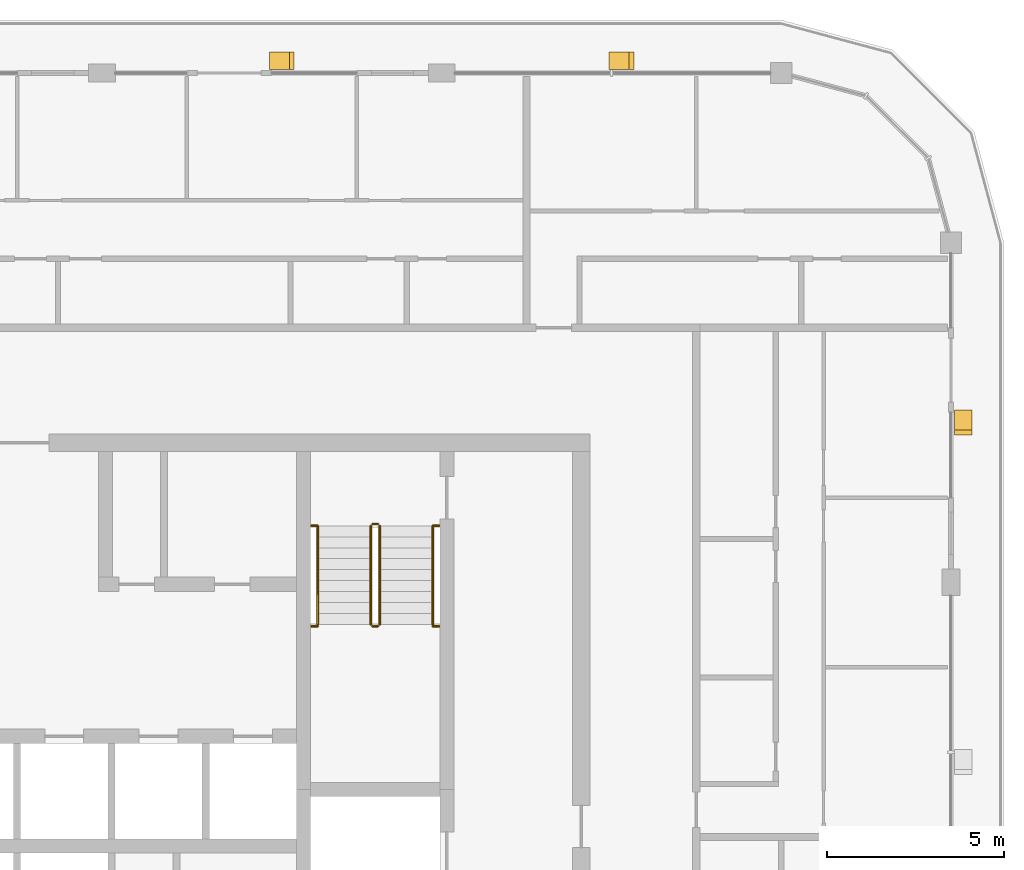
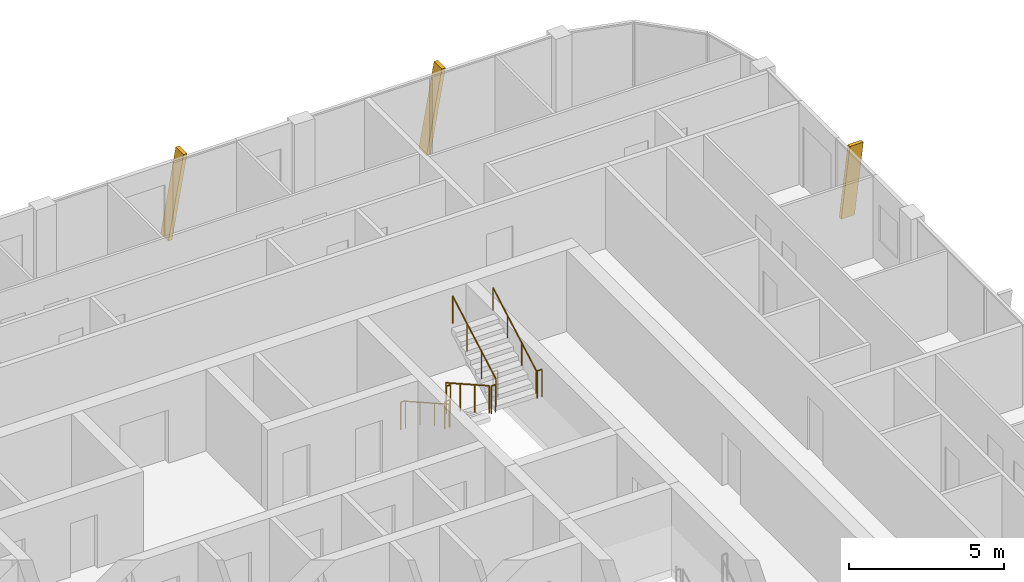
# One storey, part 22 of 22: 10 railings, 3 shading devices.
"""IFC4 building model written with IfcOpenShell, lengths in metres."""

from ifc_helpers import new_model, si_unit, direction, frame, origin, origin_2d, place, context, subcontext, project, spatial, polyline, circle, outline, extrude, material, type_object, element, save


model = new_model("IFC4")

# Units and contexts
model_context = context("Model", 3, precision=1e-05, world=origin(), true_north=direction((0.0, 1.0)))
body_context = subcontext(model_context, "Body", "Model", "MODEL_VIEW")
ifc_project = project(units=[si_unit("LENGTHUNIT", "METRE"), si_unit("AREAUNIT", "SQUARE_METRE"), si_unit("VOLUMEUNIT", "CUBIC_METRE"), si_unit("PLANEANGLEUNIT", "RADIAN"), si_unit("MASSUNIT", "GRAM", prefix="KILO")], contexts=[model_context])

# Site, building, storey
site_placement = place(None, origin())
site = spatial("IfcSite", under=ifc_project, at=site_placement, CompositionType="ELEMENT")
building_placement = place(site_placement, origin())
building = spatial("IfcBuilding", under=site, at=building_placement, Name="Madar Terraces", CompositionType="ELEMENT")
storey_placement = place(building_placement, frame((0.0, 0.0, 279.10009765625)))
storey = spatial("IfcBuildingStorey", under=building, at=storey_placement, Name="L73", CompositionType="ELEMENT", Elevation=279.10009765625)

# Shading devices
ifc_material_1 = material(Name="Aluminium, black anodised", Category="aluminium")
shading_device_type = type_object("IfcShadingDeviceType", Name="Facade fin blade 140 x 500", PredefinedType="USERDEFINED", material=ifc_material_1)
shading_device_1_placement = place(storey_placement, frame((57.949951171875, 38.330078125, 0.0), z_axis=(0.0, 0.0, 1.0), x_axis=(0.0, 1.0, 0.0)))
element("IfcShadingDevice", 1, at=shading_device_1_placement, inside=storey, type_object=shading_device_type, Name="FIN L73 E4", ObjectType="FIN", PredefinedType="USERDEFINED", context=body_context, shape_type="SweptSolid", body=[
    extrude(outline(polyline([(0.0, 0.0), (0.139892578125, 0.0), (-0.42431640625, 3.199951171875), (-0.564208984375, 3.199951171875), (0.0, 0.0)])), frame((0.0, 0.25, 0.0), z_axis=(0.0, -1.0, 0.0), x_axis=(1.0, 0.0, 0.0)), (0.0, 0.0, 1.0), 0.5),
])
shading_device_2_placement = place(storey_placement, frame((48.070068359375, 48.35009765625, 0.0), z_axis=(0.0, 0.0, 1.0), x_axis=(-1.0, 0.0, 0.0)))
element("IfcShadingDevice", 2, at=shading_device_2_placement, inside=storey, type_object=shading_device_type, Name="FIN L73 N1", ObjectType="FIN", PredefinedType="USERDEFINED", context=body_context, shape_type="SweptSolid", body=[
    extrude(outline(polyline([(0.0, 0.0), (0.14013671875, 0.0), (-0.42431640625, 3.199951171875), (-0.564208984375, 3.199951171875), (0.0, 0.0)])), frame((0.0, 0.25, 0.0), z_axis=(0.0, -1.0, 0.0), x_axis=(1.0, 0.0, 0.0)), (0.0, 0.0, 1.0), 0.5),
])
shading_device_3_placement = place(storey_placement, frame((38.469970703125, 48.35009765625, 0.0), z_axis=(0.0, 0.0, 1.0), x_axis=(-1.0, 0.0, 0.0)))
element("IfcShadingDevice", 3, at=shading_device_3_placement, inside=storey, type_object=shading_device_type, Name="FIN L73 N2", ObjectType="FIN", PredefinedType="USERDEFINED", context=body_context, shape_type="SweptSolid", body=[
    extrude(outline(polyline([(0.0, 0.0), (0.139892578125, 0.0), (-0.42431640625, 3.199951171875), (-0.564208984375, 3.199951171875), (0.0, 0.0)])), frame((0.0, 0.25, 0.0), z_axis=(0.0, -1.0, 0.0), x_axis=(1.0, 0.0, 0.0)), (0.0, 0.0, 1.0), 0.5),
])

# Railings
ifc_material_2 = material(Name="Stainless steel railing", Category="steel")
railing_type_1 = type_object("IfcRailingType", Name="Stair guard 1100", PredefinedType="GUARDRAIL", material=ifc_material_2)
railing_1_placement = place(storey_placement, frame((41.199951171875, 35.199951171875, 0.1748046875)))
element("IfcRailing", 4, at=railing_1_placement, inside=storey, type_object=railing_type_1, Name="L73 ST2 stair guard 1", PredefinedType="GUARDRAIL", context=body_context, shape_type="SweptSolid", body=[
    extrude(circle(Radius=0.02392578125, at=origin_2d()), frame((0.0, 0.0, 1.076171875), z_axis=(0.0, -0.870801158333, 0.491635375706), x_axis=(1.0, 0.0, 0.0)), (0.0, 0.0, 1.0), 3.2041015625),
    extrude(circle(Radius=0.02099609375, at=origin_2d()), origin(), (0.0, 0.0, 1.0), 1.052001953125),
    extrude(circle(Radius=0.02099609375, at=origin_2d()), frame((0.0, -0.929931640625, 0.525146484375)), (0.0, 0.0, 1.0), 1.052001953125),
    extrude(circle(Radius=0.02099609375, at=origin_2d()), frame((0.0, -1.860107421875, 1.050048828125)), (0.0, 0.0, 1.0), 1.052001953125),
    extrude(circle(Radius=0.02099609375, at=origin_2d()), frame((0.0, -2.7900390625, 1.5751953125)), (0.0, 0.0, 1.0), 1.052001953125),
])
railing_2_placement = place(storey_placement, frame((41.25, 32.360107421875, 1.75)))
element("IfcRailing", 5, at=railing_2_placement, inside=storey, type_object=railing_type_1, Name="L73 ST2 stair guard 2", PredefinedType="GUARDRAIL", context=body_context, shape_type="SweptSolid", body=[
    extrude(circle(Radius=0.02392578125, at=origin_2d()), frame((0.0, 0.0, 1.076171875), z_axis=(1.0, 0.0, 0.0), x_axis=(0.0, 1.0, 0.0)), (0.0, 0.0, 1.0), 0.14990234375),
    extrude(circle(Radius=0.02099609375, at=origin_2d()), origin(), (0.0, 0.0, 1.0), 1.052001953125),
    extrude(circle(Radius=0.02099609375, at=origin_2d()), frame((0.14990234375, 0.0, 0.0)), (0.0, 0.0, 1.0), 1.052001953125),
])
railing_3_placement = place(storey_placement, frame((41.449951171875, 32.409912109375, 1.9248046875)))
element("IfcRailing", 6, at=railing_3_placement, inside=storey, type_object=railing_type_1, Name="L73 ST2 stair guard 3", PredefinedType="GUARDRAIL", context=body_context, shape_type="SweptSolid", body=[
    extrude(circle(Radius=0.02392578125, at=origin_2d()), frame((0.0, 0.0, 1.076171875), z_axis=(0.0, 0.870801158333, 0.491635375706), x_axis=(-1.0, 0.0, 0.0)), (0.0, 0.0, 1.0), 3.2041015625),
    extrude(circle(Radius=0.02099609375, at=origin_2d()), origin(), (0.0, 0.0, 1.0), 1.052001953125),
    extrude(circle(Radius=0.02099609375, at=origin_2d()), frame((0.0, 0.929931640625, 0.525146484375)), (0.0, 0.0, 1.0), 1.052001953125),
    extrude(circle(Radius=0.02099609375, at=origin_2d()), frame((0.0, 1.860107421875, 1.050048828125)), (0.0, 0.0, 1.0), 1.052001953125),
    extrude(circle(Radius=0.02099609375, at=origin_2d()), frame((0.0, 2.7900390625, 1.5751953125)), (0.0, 0.0, 1.0), 1.052001953125),
])
railing_4_placement = place(storey_placement, frame((41.25, 35.25, 0.0)))
element("IfcRailing", 7, at=railing_4_placement, inside=storey, type_object=railing_type_1, Name="L73 ST2 stair guard 4", PredefinedType="GUARDRAIL", context=body_context, shape_type="SweptSolid", body=[
    extrude(circle(Radius=0.02392578125, at=origin_2d()), frame((0.0, 0.0, 1.076171875), z_axis=(1.0, 0.0, 0.0), x_axis=(0.0, 1.0, 0.0)), (0.0, 0.0, 1.0), 0.14990234375),
    extrude(circle(Radius=0.02099609375, at=origin_2d()), origin(), (0.0, 0.0, 1.0), 1.052001953125),
    extrude(circle(Radius=0.02099609375, at=origin_2d()), frame((0.14990234375, 0.0, 0.0)), (0.0, 0.0, 1.0), 1.052001953125),
])
for number, where, name in (
    (8, (39.52001953125, 32.360107421875, 1.75), "L73 stair guard seat 1"),
    (9, (42.949951171875, 32.360107421875, 1.75), "L73 stair guard seat 2"),
    (10, (39.52001953125, 35.199951171875, 0.0), "L73 stair guard floor 1"),
    (11, (42.949951171875, 35.199951171875, 0.0), "L73 stair guard floor 2"),
):
    element("IfcRailing", number, at=place(storey_placement, frame(where)), inside=storey, type_object=railing_type_1, Name=name, PredefinedType="GUARDRAIL", context=body_context, shape_type="SweptSolid", body=[
        extrude(circle(Radius=0.02392578125, at=origin_2d()), frame((0.0, 0.0, 1.076171875), z_axis=(1.0, 0.0, 0.0), x_axis=(0.0, 1.0, 0.0)), (0.0, 0.0, 1.0), 0.179931640625),
        extrude(circle(Radius=0.02099609375, at=origin_2d()), origin(), (0.0, 0.0, 1.0), 1.052001953125),
        extrude(circle(Radius=0.02099609375, at=origin_2d()), frame((0.179931640625, 0.0, 0.0)), (0.0, 0.0, 1.0), 1.052001953125),
    ])
ifc_material_3 = material(Name="Stainless steel railing", Category="steel")
railing_type_2 = type_object("IfcRailingType", Name="Stair handrail 900", PredefinedType="HANDRAIL", material=ifc_material_3)
railing_5_placement = place(storey_placement, frame((39.699951171875, 35.199951171875, 0.1748046875)))
element("IfcRailing", 12, at=railing_5_placement, inside=storey, type_object=railing_type_2, Name="L73 ST2 stair handrail 1", PredefinedType="HANDRAIL", context=body_context, shape_type="SweptSolid", body=[
    extrude(circle(Radius=0.02392578125, at=origin_2d()), frame((0.0, 0.0, 0.8759765625), z_axis=(0.0, -0.870801158333, 0.491635375706), x_axis=(1.0, 0.0, 0.0)), (0.0, 0.0, 1.0), 3.2041015625),
    extrude(circle(Radius=0.02099609375, at=origin_2d()), origin(), (0.0, 0.0, 1.0), 0.851806640625),
    extrude(circle(Radius=0.02099609375, at=origin_2d()), frame((0.0, -0.929931640625, 0.525146484375)), (0.0, 0.0, 1.0), 0.851806640625),
    extrude(circle(Radius=0.02099609375, at=origin_2d()), frame((0.0, -1.860107421875, 1.050048828125)), (0.0, 0.0, 1.0), 0.851806640625),
    extrude(circle(Radius=0.02099609375, at=origin_2d()), frame((0.0, -2.7900390625, 1.5751953125)), (0.0, 0.0, 1.0), 0.851806640625),
])
railing_6_placement = place(storey_placement, frame((42.949951171875, 32.409912109375, 1.9248046875)))
element("IfcRailing", 13, at=railing_6_placement, inside=storey, type_object=railing_type_2, Name="L73 ST2 stair handrail 2", PredefinedType="HANDRAIL", context=body_context, shape_type="SweptSolid", body=[
    extrude(circle(Radius=0.02392578125, at=origin_2d()), frame((0.0, 0.0, 0.8759765625), z_axis=(0.0, 0.870801158333, 0.491635375706), x_axis=(-1.0, 0.0, 0.0)), (0.0, 0.0, 1.0), 3.2041015625),
    extrude(circle(Radius=0.02099609375, at=origin_2d()), origin(), (0.0, 0.0, 1.0), 0.851806640625),
    extrude(circle(Radius=0.02099609375, at=origin_2d()), frame((0.0, 0.929931640625, 0.525146484375)), (0.0, 0.0, 1.0), 0.851806640625),
    extrude(circle(Radius=0.02099609375, at=origin_2d()), frame((0.0, 1.860107421875, 1.050048828125)), (0.0, 0.0, 1.0), 0.851806640625),
    extrude(circle(Radius=0.02099609375, at=origin_2d()), frame((0.0, 2.7900390625, 1.5751953125)), (0.0, 0.0, 1.0), 0.851806640625),
])

save(model, "model.ifc")
